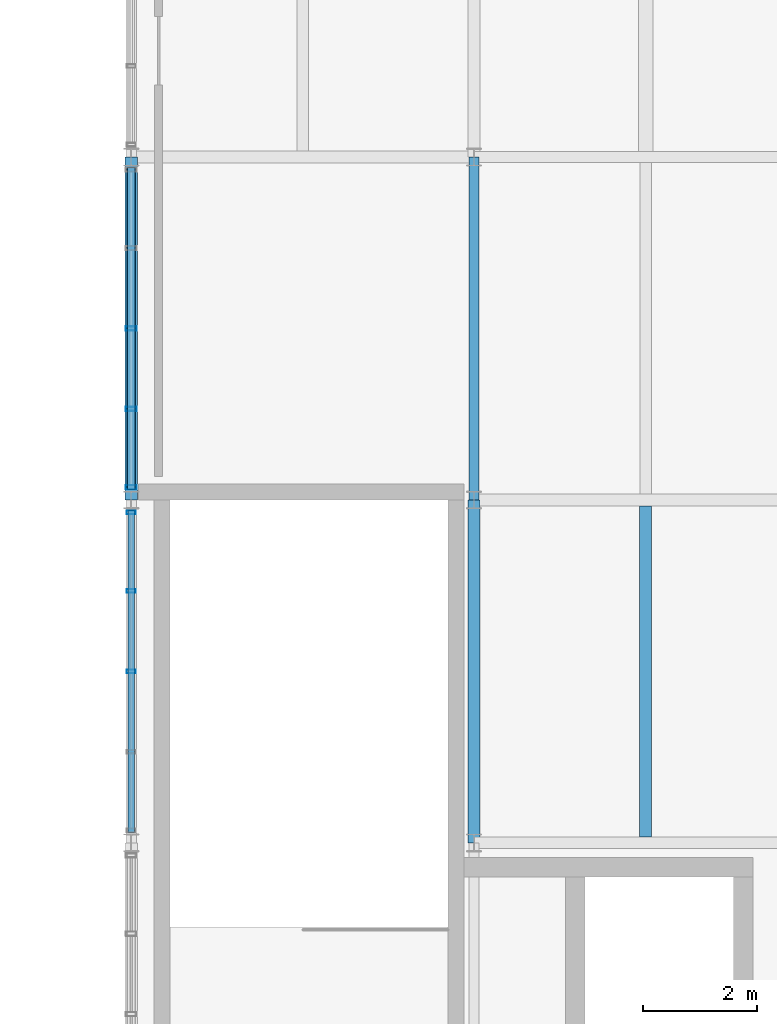
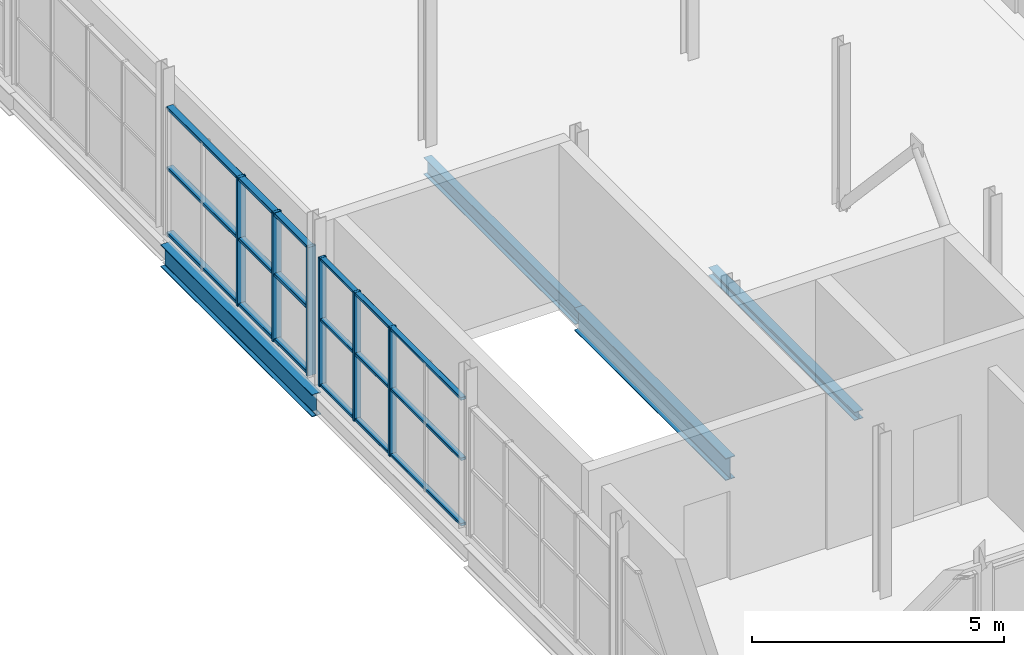
# One storey, part 63 of 96: 12 members, 4 beams, 2 elements without a shape of their own.
"""IFC4 building model written with IfcOpenShell, lengths in metres."""

from ifc_helpers import new_model, si_unit, direction, frame, origin, origin_2d, place, context, subcontext, project, spatial, hollow_rectangle, i_section, extrude, material, material_profile, profile_set, type_object, element, aggregate, save


model = new_model("IFC4")

# Units and contexts
model_context = context("Model", 3, precision=1e-05, world=origin(), true_north=direction((0.0, 1.0)))
body_context = subcontext(model_context, "Body", "Model", "MODEL_VIEW")
ifc_project = project(units=[si_unit("LENGTHUNIT", "METRE"), si_unit("AREAUNIT", "SQUARE_METRE"), si_unit("VOLUMEUNIT", "CUBIC_METRE"), si_unit("PLANEANGLEUNIT", "RADIAN"), si_unit("MASSUNIT", "GRAM", prefix="KILO")], contexts=[model_context])

# Site, building, storey
site_placement = place(None, origin())
site = spatial("IfcSite", under=ifc_project, at=site_placement, CompositionType="ELEMENT")
building_placement = place(site_placement, origin())
building = spatial("IfcBuilding", under=site, at=building_placement, Name="Verrall Gate Interchange", CompositionType="ELEMENT")
storey_placement = place(building_placement, frame((0.0, 0.0, 11.39990234375)))
storey = spatial("IfcBuildingStorey", under=building, at=storey_placement, Name="L03", CompositionType="ELEMENT", Elevation=11.39990234375)

# Beams
ifc_material_1 = material(Name="Structural Steel CSA G40.21 350W", Category="steel")
ifc_material_profile_1 = material_profile(ifc_material_1, i_section(OverallWidth=0.2109375, OverallDepth=0.5390625, WebThickness=0.01171875, FlangeThickness=0.018798828125, FilletRadius=0.013916015625, at=origin_2d()), Name="W530x109")
ifc_profile_set_1 = profile_set([ifc_material_profile_1], Name="Structural Steel CSA G40.21 350W")
beam_type_1 = type_object("IfcBeamType", Name="B-10 Structural Beam W530x109", PredefinedType="BEAM", material=ifc_profile_set_1)
for number, where, z_axis, x_axis, name in (
    (1, (132.0, 28.0, -0.599365234375), (0.0, 1.0, 0.0), (-1.0, 0.0, 0.0), "L03 Girder BM-L03-2326 (B-10)"),
    (2, (138.0, 22.0, -0.599365234375), (0.0, 1.0, 0.0), (-1.0, 0.0, 0.0), "L03 Girder BM-L03-2333 (B-10)"),
):
    element("IfcBeam", number, at=place(storey_placement, frame(where, z_axis=z_axis, x_axis=x_axis)), inside=storey, type_object=beam_type_1, Name=name, PredefinedType="BEAM", context=body_context, shape_type="SweptSolid", body=[
        extrude(i_section(OverallWidth=0.2109375, OverallDepth=0.5390625, WebThickness=0.01171875, FlangeThickness=0.018798828125, FilletRadius=0.013916015625, at=origin_2d()), origin(), (0.0, 0.0, 1.0), 6.0),
    ])
ifc_material_2 = material(Name="Structural Steel CSA G40.21 350W", Category="steel")
ifc_material_profile_2 = material_profile(ifc_material_2, i_section(OverallWidth=0.178955078125, OverallDepth=0.409912109375, WebThickness=0.0087890625, FlangeThickness=0.014404296875, FilletRadius=0.011962890625, at=origin_2d()), Name="W410x67")
ifc_profile_set_2 = profile_set([ifc_material_profile_2], Name="Structural Steel CSA G40.21 350W")
beam_type_2 = type_object("IfcBeamType", Name="B-12 Structural Beam W410x67", PredefinedType="BEAM", material=ifc_profile_set_2)
beam_1_placement = place(storey_placement, frame((138.0, 28.0, -0.534912109375), z_axis=(0.0, 1.0, 0.0), x_axis=(-1.0, 0.0, 0.0)))
element("IfcBeam", 3, at=beam_1_placement, inside=storey, type_object=beam_type_2, Name="L03 Girder BM-L03-2334 (B-12)", PredefinedType="BEAM", context=body_context, shape_type="SweptSolid", body=[
    extrude(i_section(OverallWidth=0.178955078125, OverallDepth=0.409912109375, WebThickness=0.0087890625, FlangeThickness=0.014404296875, FilletRadius=0.011962890625, at=origin_2d()), origin(), (0.0, 0.0, 1.0), 6.0),
])

# Curtain wall, members
ifc_material_3 = material(Name="Thermally Broken Anodized Aluminium Curtain Wall Framing", Category="aluminium")
curtain_wall_type = type_object("IfcCurtainWallType", Name="CW-36 Unitized Curtain Wall 5559x3110", PredefinedType="NOTDEFINED", material=ifc_material_3)
curtain_wall_1_placement = place(storey_placement, origin())
curtain_wall_1 = element("IfcCurtainWall", 4, at=curtain_wall_1_placement, inside=storey, type_object=curtain_wall_type, Name="L03 Unitized Curtain Wall CW-L03-124", PredefinedType="NOTDEFINED")
ifc_material_4 = material(Name="Thermally Broken Anodized Aluminium Curtain Wall Framing", Category="aluminium")
ifc_material_profile_3 = material_profile(ifc_material_4, hollow_rectangle(XDim=0.06494140625, YDim=0.159912109375, WallThickness=0.00390625, InnerFilletRadius=0.00390625, OuterFilletRadius=0.008056640625, at=origin_2d()), Name="CWM160x65x4")
ifc_profile_set_3 = profile_set([ifc_material_profile_3], Name="Thermally Broken Anodized Aluminium Curtain Wall Framing")
member_type_1 = type_object("IfcMemberType", Name="CM-01 Curtain Mullion CWM160x65x4", PredefinedType="MULLION", material=ifc_profile_set_3)
member_1_placement = place(storey_placement, frame((132.0, 27.782470703125, 0.0), z_axis=(0.0, 0.0, 1.0), x_axis=(0.0, -1.0, 0.0)))
member_1 = element("IfcMember", 5, at=member_1_placement, type_object=member_type_1, Name="CW-L03-124 Mullion 1", PredefinedType="MULLION", context=body_context, shape_type="SweptSolid", body=[
    extrude(hollow_rectangle(XDim=0.06494140625, YDim=0.159912109375, WallThickness=0.00390625, InnerFilletRadius=0.00390625, OuterFilletRadius=0.008056640625, at=origin_2d()), origin(), (0.0, 0.0, 1.0), 3.110107421875),
])
member_2_placement = place(storey_placement, frame((132.0, 26.407470703125, 0.0), z_axis=(0.0, 0.0, 1.0), x_axis=(0.0, -1.0, 0.0)))
member_2 = element("IfcMember", 6, at=member_2_placement, type_object=member_type_1, Name="CW-L03-124 Mullion 2", PredefinedType="MULLION", context=body_context, shape_type="SweptSolid", body=[
    extrude(hollow_rectangle(XDim=0.06494140625, YDim=0.159912109375, WallThickness=0.00390625, InnerFilletRadius=0.00390625, OuterFilletRadius=0.008056640625, at=origin_2d()), origin(), (0.0, 0.0, 1.0), 3.110107421875),
])
member_3_placement = place(storey_placement, frame((132.0, 25.0, 0.0), z_axis=(0.0, 0.0, 1.0), x_axis=(0.0, -1.0, 0.0)))
member_3 = element("IfcMember", 7, at=member_3_placement, type_object=member_type_1, Name="CW-L03-124 Mullion 3", PredefinedType="MULLION", context=body_context, shape_type="SweptSolid", body=[
    extrude(hollow_rectangle(XDim=0.06494140625, YDim=0.159912109375, WallThickness=0.00390625, InnerFilletRadius=0.00390625, OuterFilletRadius=0.008056640625, at=origin_2d()), origin(), (0.0, 0.0, 1.0), 3.110107421875),
])

curtain_wall_2_placement = place(storey_placement, origin())
curtain_wall_2 = element("IfcCurtainWall", 8, at=curtain_wall_2_placement, inside=storey, type_object=curtain_wall_type, Name="L03 Unitized Curtain Wall CW-L03-123", PredefinedType="NOTDEFINED")
ifc_material_5 = material(Name="Thermally Broken Anodized Aluminium Curtain Wall Framing", Category="aluminium")
ifc_material_profile_4 = material_profile(ifc_material_5, hollow_rectangle(XDim=0.074951171875, YDim=0.199951171875, WallThickness=0.0048828125, InnerFilletRadius=0.0048828125, OuterFilletRadius=0.010009765625, at=origin_2d()), Name="CWM200x75x5")
ifc_profile_set_4 = profile_set([ifc_material_profile_4], Name="Thermally Broken Anodized Aluminium Curtain Wall Framing")
member_type_2 = type_object("IfcMemberType", Name="CM-02 Curtain Mullion CWM200x75x5", PredefinedType="MULLION", material=ifc_profile_set_4)
member_4_placement = place(storey_placement, frame((132.0, 31.0, 0.0), z_axis=(0.0, 0.0, 1.0), x_axis=(0.0, -1.0, 0.0)))
member_4 = element("IfcMember", 9, at=member_4_placement, type_object=member_type_2, Name="CW-L03-123 Mullion 3", PredefinedType="MULLION", context=body_context, shape_type="SweptSolid", body=[
    extrude(hollow_rectangle(XDim=0.074951171875, YDim=0.199951171875, WallThickness=0.0048828125, InnerFilletRadius=0.0048828125, OuterFilletRadius=0.010009765625, at=origin_2d()), origin(), (0.0, 0.0, 1.0), 3.110107421875),
])
member_5_placement = place(storey_placement, frame((132.0, 29.592529296875, 0.0), z_axis=(0.0, 0.0, 1.0), x_axis=(0.0, -1.0, 0.0)))
member_5 = element("IfcMember", 10, at=member_5_placement, type_object=member_type_2, Name="CW-L03-123 Mullion 4", PredefinedType="MULLION", context=body_context, shape_type="SweptSolid", body=[
    extrude(hollow_rectangle(XDim=0.074951171875, YDim=0.199951171875, WallThickness=0.0048828125, InnerFilletRadius=0.0048828125, OuterFilletRadius=0.010009765625, at=origin_2d()), origin(), (0.0, 0.0, 1.0), 3.110107421875),
])
member_6_placement = place(storey_placement, frame((132.0, 28.222412109375, 0.0), z_axis=(0.0, 0.0, 1.0), x_axis=(0.0, -1.0, 0.0)))
member_6 = element("IfcMember", 11, at=member_6_placement, type_object=member_type_2, Name="CW-L03-123 Mullion 5", PredefinedType="MULLION", context=body_context, shape_type="SweptSolid", body=[
    extrude(hollow_rectangle(XDim=0.074951171875, YDim=0.199951171875, WallThickness=0.0048828125, InnerFilletRadius=0.0048828125, OuterFilletRadius=0.010009765625, at=origin_2d()), origin(), (0.0, 0.0, 1.0), 3.110107421875),
])

# Member
ifc_material_6 = material(Name="Thermally Broken Anodized Aluminium Curtain Wall Framing", Category="aluminium")
ifc_material_profile_5 = material_profile(ifc_material_6, hollow_rectangle(XDim=0.1201171875, YDim=0.06494140625, WallThickness=0.00390625, InnerFilletRadius=0.00390625, OuterFilletRadius=0.008056640625, at=origin_2d()), Name="CWT120x65x4")
ifc_profile_set_5 = profile_set([ifc_material_profile_5], Name="Thermally Broken Anodized Aluminium Curtain Wall Framing")
member_type_3 = type_object("IfcMemberType", Name="CT-01 Curtain Transom CWT120x65x4", PredefinedType="USERDEFINED", material=ifc_profile_set_5)
member_7_placement = place(storey_placement, frame((132.0, 27.81494140625, 0.03271484375), z_axis=(0.0, -1.0, 0.0), x_axis=(1.0, 0.0, 0.0)))
member_7 = element("IfcMember", 12, at=member_7_placement, type_object=member_type_3, Name="CW-L03-124 Transom 1", ObjectType="TRANSOM", PredefinedType="USERDEFINED", context=body_context, shape_type="SweptSolid", body=[
    extrude(hollow_rectangle(XDim=0.1201171875, YDim=0.06494140625, WallThickness=0.00390625, InnerFilletRadius=0.00390625, OuterFilletRadius=0.008056640625, at=origin_2d()), origin(), (0.0, 0.0, 1.0), 5.6298828125),
])

member_8_placement = place(storey_placement, frame((132.0, 27.81494140625, 1.6171875), z_axis=(0.0, -1.0, 0.0), x_axis=(1.0, 0.0, 0.0)))
member_8 = element("IfcMember", 13, at=member_8_placement, type_object=member_type_3, Name="CW-L03-124 Transom 2", ObjectType="TRANSOM", PredefinedType="USERDEFINED", context=body_context, shape_type="SweptSolid", body=[
    extrude(hollow_rectangle(XDim=0.1201171875, YDim=0.06494140625, WallThickness=0.00390625, InnerFilletRadius=0.00390625, OuterFilletRadius=0.008056640625, at=origin_2d()), origin(), (0.0, 0.0, 1.0), 5.6298828125),
])

member_9_placement = place(storey_placement, frame((132.0, 27.81494140625, 3.07763671875), z_axis=(0.0, -1.0, 0.0), x_axis=(1.0, 0.0, 0.0)))
member_9 = element("IfcMember", 14, at=member_9_placement, type_object=member_type_3, Name="CW-L03-124 Transom 3", ObjectType="TRANSOM", PredefinedType="USERDEFINED", context=body_context, shape_type="SweptSolid", body=[
    extrude(hollow_rectangle(XDim=0.1201171875, YDim=0.06494140625, WallThickness=0.00390625, InnerFilletRadius=0.00390625, OuterFilletRadius=0.008056640625, at=origin_2d()), origin(), (0.0, 0.0, 1.0), 5.6298828125),
])

aggregate(curtain_wall_1, [member_1, member_2, member_3, member_7, member_8, member_9])

ifc_material_7 = material(Name="Thermally Broken Anodized Aluminium Curtain Wall Framing", Category="aluminium")
ifc_material_profile_6 = material_profile(ifc_material_7, hollow_rectangle(XDim=0.14990234375, YDim=0.074951171875, WallThickness=0.00439453125, InnerFilletRadius=0.00439453125, OuterFilletRadius=0.009033203125, at=origin_2d()), Name="CWT150x75x4.5")
ifc_profile_set_6 = profile_set([ifc_material_profile_6], Name="Thermally Broken Anodized Aluminium Curtain Wall Framing")
member_type_4 = type_object("IfcMemberType", Name="CT-02 Curtain Transom CWT150x75x4.5", PredefinedType="USERDEFINED", material=ifc_profile_set_6)
member_10_placement = place(storey_placement, frame((132.0, 33.81494140625, 0.03759765625), z_axis=(0.0, -1.0, 0.0), x_axis=(1.0, 0.0, 0.0)))
member_10 = element("IfcMember", 15, at=member_10_placement, type_object=member_type_4, Name="CW-L03-123 Transom 1", ObjectType="TRANSOM", PredefinedType="USERDEFINED", context=body_context, shape_type="SweptSolid", body=[
    extrude(hollow_rectangle(XDim=0.14990234375, YDim=0.074951171875, WallThickness=0.00439453125, InnerFilletRadius=0.00439453125, OuterFilletRadius=0.009033203125, at=origin_2d()), origin(), (0.0, 0.0, 1.0), 5.6298828125),
])

member_11_placement = place(storey_placement, frame((132.0, 33.81494140625, 1.6171875), z_axis=(0.0, -1.0, 0.0), x_axis=(1.0, 0.0, 0.0)))
member_11 = element("IfcMember", 16, at=member_11_placement, type_object=member_type_4, Name="CW-L03-123 Transom 2", ObjectType="TRANSOM", PredefinedType="USERDEFINED", context=body_context, shape_type="SweptSolid", body=[
    extrude(hollow_rectangle(XDim=0.14990234375, YDim=0.074951171875, WallThickness=0.00439453125, InnerFilletRadius=0.00439453125, OuterFilletRadius=0.009033203125, at=origin_2d()), origin(), (0.0, 0.0, 1.0), 5.6298828125),
])

member_12_placement = place(storey_placement, frame((132.0, 33.81494140625, 3.072509765625), z_axis=(0.0, -1.0, 0.0), x_axis=(1.0, 0.0, 0.0)))
member_12 = element("IfcMember", 17, at=member_12_placement, type_object=member_type_4, Name="CW-L03-123 Transom 3", ObjectType="TRANSOM", PredefinedType="USERDEFINED", context=body_context, shape_type="SweptSolid", body=[
    extrude(hollow_rectangle(XDim=0.14990234375, YDim=0.074951171875, WallThickness=0.00439453125, InnerFilletRadius=0.00439453125, OuterFilletRadius=0.009033203125, at=origin_2d()), origin(), (0.0, 0.0, 1.0), 5.6298828125),
])

aggregate(curtain_wall_2, [member_4, member_5, member_6, member_10, member_11, member_12])

# Beam
ifc_material_8 = material(Name="Structural Steel CSA G40.21 350W", Category="steel")
ifc_material_profile_7 = material_profile(ifc_material_8, i_section(OverallWidth=0.202880859375, OverallDepth=0.202880859375, WebThickness=0.007080078125, FlangeThickness=0.010986328125, FilletRadius=0.010009765625, at=origin_2d()), Name="W200x46")
ifc_profile_set_7 = profile_set([ifc_material_profile_7], Name="Structural Steel CSA G40.21 350W")
beam_type_3 = type_object("IfcBeamType", Name="J-07 Floor Joist W200x46", PredefinedType="JOIST", material=ifc_profile_set_7)
beam_2_placement = place(storey_placement, frame((141.0, 22.1025390625, -0.431396484375), z_axis=(0.0, 1.0, 0.0), x_axis=(-1.0, 0.0, 0.0)))
element("IfcBeam", 18, at=beam_2_placement, inside=storey, type_object=beam_type_3, Name="L03 Secondary Floor Joist JST-L03-2435", PredefinedType="JOIST", context=body_context, shape_type="SweptSolid", body=[
    extrude(i_section(OverallWidth=0.202880859375, OverallDepth=0.202880859375, WebThickness=0.007080078125, FlangeThickness=0.010986328125, FilletRadius=0.010009765625, at=origin_2d()), origin(), (0.0, 0.0, 1.0), 5.7919921875),
])

save(model, "model.ifc")
